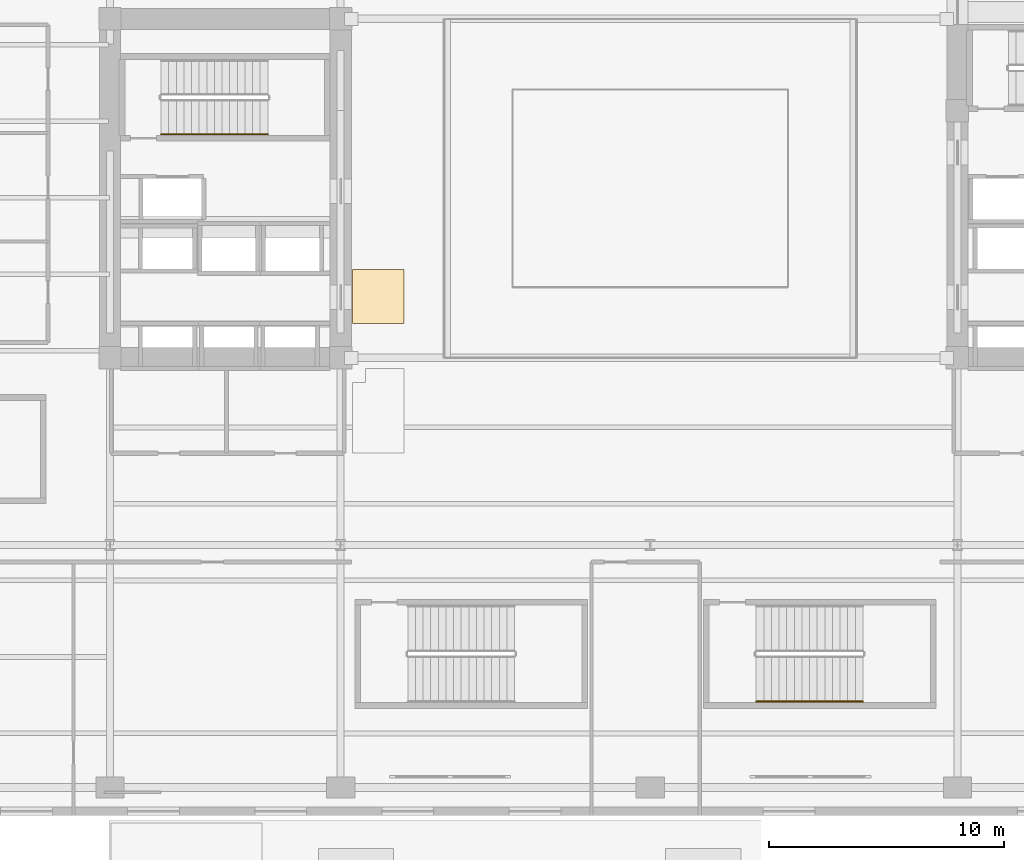
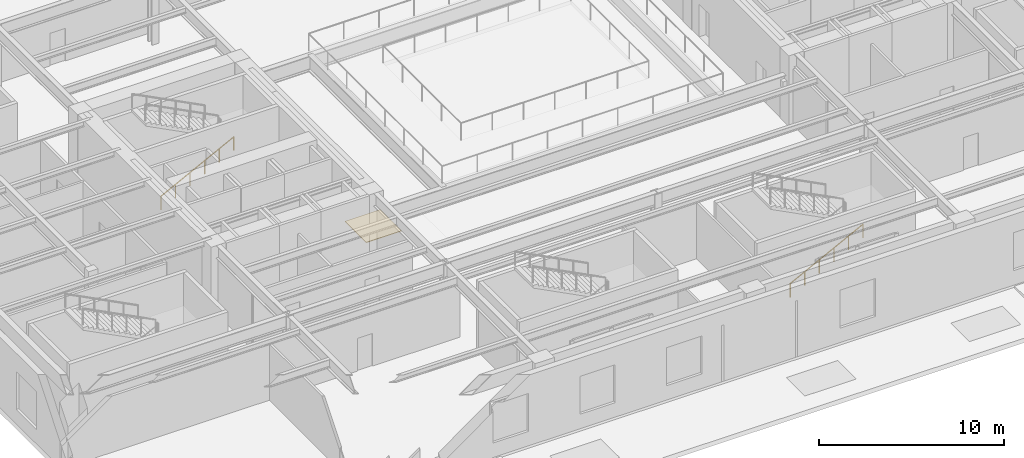
# One storey, part 15 of 24: 2 railings, 1 covering.
"""IFC4 building model written with IfcOpenShell, lengths in metres."""

from ifc_helpers import new_model, si_unit, direction, frame, origin, origin_2d, place, context, subcontext, project, spatial, polyline, circle, outline, extrude, material, layer, layer_set, type_object, element, save


model = new_model("IFC4")

# Units and contexts
model_context = context("Model", 3, precision=1e-05, world=origin(), true_north=direction((0.0, 1.0)))
body_context = subcontext(model_context, "Body", "Model", "MODEL_VIEW")
ifc_project = project(units=[si_unit("LENGTHUNIT", "METRE"), si_unit("AREAUNIT", "SQUARE_METRE"), si_unit("VOLUMEUNIT", "CUBIC_METRE"), si_unit("PLANEANGLEUNIT", "RADIAN"), si_unit("MASSUNIT", "GRAM", prefix="KILO")], contexts=[model_context])

# Site, building, storey
site_placement = place(None, origin())
site = spatial("IfcSite", under=ifc_project, at=site_placement, CompositionType="ELEMENT")
building_placement = place(site_placement, origin())
building = spatial("IfcBuilding", under=site, at=building_placement, Name="Kolvaren Arena Tower", CompositionType="ELEMENT")
storey_placement = place(building_placement, frame((0.0, 0.0, 8.0)))
storey = spatial("IfcBuildingStorey", under=building, at=storey_placement, Name="L01", CompositionType="ELEMENT", Elevation=8.0)

# Covering
ifc_material_1 = material(Name="Polished granite terrazzo flooring", Category="masonry")
ifc_layer = layer(ifc_material_1, 0.034912109375)
ifc_layer_set = layer_set([ifc_layer], Name="Polished granite terrazzo flooring")
covering_type = type_object("IfcCoveringType", Name="FLOR-TRZ-1", PredefinedType="FLOORING", material=ifc_layer_set)
covering_placement = place(storey_placement, origin())
element("IfcCovering", 1, at=covering_placement, inside=storey, type_object=covering_type, Name="Floor Finish (L01)", PredefinedType="FLOORING", context=body_context, shape_type="SweptSolid", body=[
    extrude(outline(polyline([(24.85009765625, 20.89990234375), (24.85009765625, 23.199951171875), (27.050048828125, 23.199951171875), (27.050048828125, 20.89990234375), (24.85009765625, 20.89990234375)])), origin(), (0.0, 0.0, 1.0), 0.034912109375),
])

# Railings
ifc_material_2 = material(Name="Brushed stainless steel handrail", Category="steel")
railing_type = type_object("IfcRailingType", Name="HRAIL-900", PredefinedType="HANDRAIL", material=ifc_material_2)
railing_1_placement = place(storey_placement, frame((16.719970703125, 28.949951171875, 0.166748046875)))
element("IfcRailing", 2, at=railing_1_placement, inside=storey, type_object=railing_type, Name="L01 ST-W1 stair handrail 1", PredefinedType="HANDRAIL", context=body_context, shape_type="SweptSolid", body=[
    extrude(circle(Radius=0.02392578125, at=origin_2d()), frame((0.0, 0.0, 0.8759765625), z_axis=(0.889257211316, 0.0, 0.457407490234), x_axis=(0.0, 1.0, 0.0)), (0.0, 0.0, 1.0), 5.10107421875),
    extrude(circle(Radius=0.02099609375, at=origin_2d()), origin(), (0.0, 0.0, 1.0), 0.851806640625),
    extrude(circle(Radius=0.02099609375, at=origin_2d()), frame((0.9072265625, 0.0, 0.466552734375)), (0.0, 0.0, 1.0), 0.851806640625),
    extrude(circle(Radius=0.02099609375, at=origin_2d()), frame((1.814453125, 0.0, 0.933349609375)), (0.0, 0.0, 1.0), 0.851806640625),
    extrude(circle(Radius=0.02099609375, at=origin_2d()), frame((2.7216796875, 0.0, 1.39990234375)), (0.0, 0.0, 1.0), 0.851806640625),
    extrude(circle(Radius=0.02099609375, at=origin_2d()), frame((3.62890625, 0.0, 1.86669921875)), (0.0, 0.0, 1.0), 0.851806640625),
    extrude(circle(Radius=0.02099609375, at=origin_2d()), frame((4.5361328125, 0.0, 2.333251953125)), (0.0, 0.0, 1.0), 0.851806640625),
])
railing_2_placement = place(storey_placement, frame((42.0, 4.85009765625, 0.166748046875)))
element("IfcRailing", 3, at=railing_2_placement, inside=storey, type_object=railing_type, Name="L01 ST-A3 stair handrail 1", PredefinedType="HANDRAIL", context=body_context, shape_type="SweptSolid", body=[
    extrude(circle(Radius=0.02392578125, at=origin_2d()), frame((0.0, 0.0, 0.8759765625), z_axis=(0.889247197123, 0.0, 0.45742695855), x_axis=(0.0, 1.0, 0.0)), (0.0, 0.0, 1.0), 5.100830078125),
    extrude(circle(Radius=0.02099609375, at=origin_2d()), origin(), (0.0, 0.0, 1.0), 0.851806640625),
    extrude(circle(Radius=0.02099609375, at=origin_2d()), frame((0.9072265625, 0.0, 0.466552734375)), (0.0, 0.0, 1.0), 0.851806640625),
    extrude(circle(Radius=0.02099609375, at=origin_2d()), frame((1.814453125, 0.0, 0.933349609375)), (0.0, 0.0, 1.0), 0.851806640625),
    extrude(circle(Radius=0.02099609375, at=origin_2d()), frame((2.721435546875, 0.0, 1.39990234375)), (0.0, 0.0, 1.0), 0.851806640625),
    extrude(circle(Radius=0.02099609375, at=origin_2d()), frame((3.628662109375, 0.0, 1.86669921875)), (0.0, 0.0, 1.0), 0.851806640625),
    extrude(circle(Radius=0.02099609375, at=origin_2d()), frame((4.535888671875, 0.0, 2.333251953125)), (0.0, 0.0, 1.0), 0.851806640625),
])

save(model, "model.ifc")
